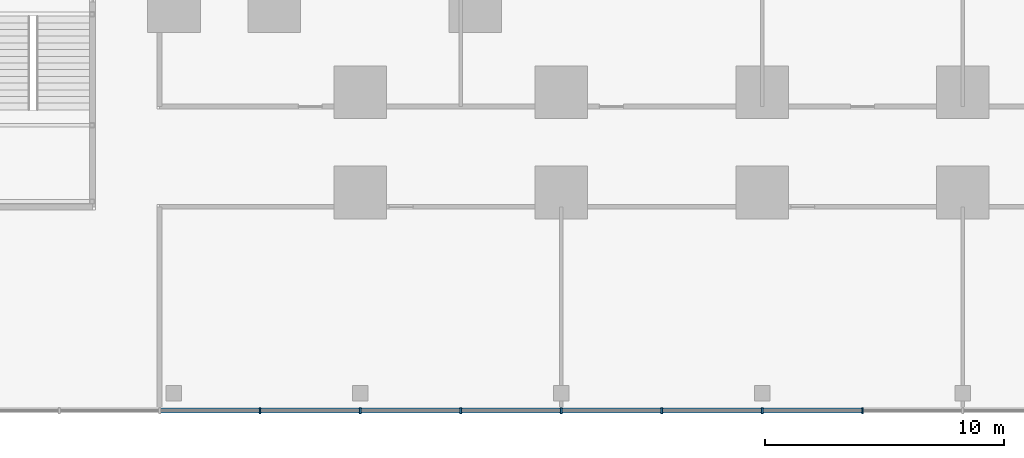
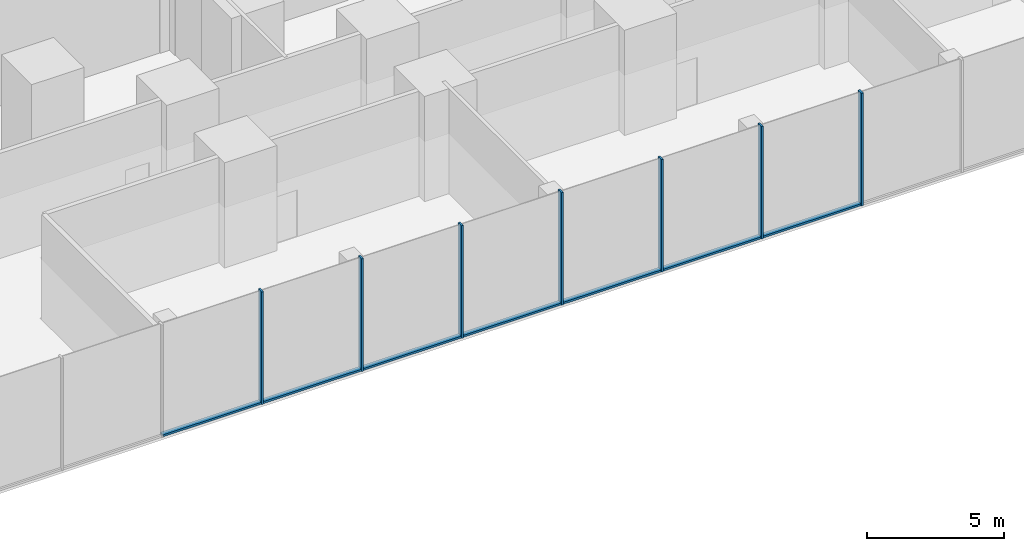
# One storey, part 16 of 33: 14 members, 1 element without a shape of its own.
"""IFC4 building model written with IfcOpenShell, lengths in metres."""

from ifc_helpers import new_model, si_unit, direction, frame, origin, origin_2d, place, context, subcontext, project, spatial, rectangle, extrude, material, material_profile, profile_set, type_object, element, aggregate, save


model = new_model("IFC4")

# Units and contexts
model_context = context("Model", 3, precision=1e-05, world=origin(), true_north=direction((0.0, 1.0)))
body_context = subcontext(model_context, "Body", "Model", "MODEL_VIEW")
ifc_project = project(units=[si_unit("LENGTHUNIT", "METRE"), si_unit("AREAUNIT", "SQUARE_METRE"), si_unit("VOLUMEUNIT", "CUBIC_METRE"), si_unit("PLANEANGLEUNIT", "RADIAN"), si_unit("MASSUNIT", "GRAM", prefix="KILO")], contexts=[model_context])

# Site, building, storey
site_placement = place(None, origin())
site = spatial("IfcSite", under=ifc_project, at=site_placement, CompositionType="ELEMENT")
building_placement = place(site_placement, origin())
building = spatial("IfcBuilding", under=site, at=building_placement, Name="Dunama Terrace Hotel", CompositionType="ELEMENT")
storey_placement = place(building_placement, frame((0.0, 0.0, 12.0)))
storey = spatial("IfcBuildingStorey", under=building, at=storey_placement, Name="L02", CompositionType="ELEMENT", Elevation=12.0)

# Curtain wall, members
ifc_material_1 = material(Name="Aluminium curtain wall system", Category="aluminium")
curtain_wall_type = type_object("IfcCurtainWallType", Name="Podium storefront glazing CW-E", PredefinedType="NOTDEFINED", material=ifc_material_1)
curtain_wall_placement = place(storey_placement, origin())
curtain_wall = element("IfcCurtainWall", 1, at=curtain_wall_placement, inside=storey, type_object=curtain_wall_type, Name="Podium storefront glazing CW-E L02", PredefinedType="NOTDEFINED")
ifc_material_2 = material(Name="Aluminium mullion", Category="aluminium")
ifc_material_profile_1 = material_profile(ifc_material_2, rectangle(XDim=0.080078125, YDim=0.25, at=origin_2d()), Name="CWE MULLION 80X250")
ifc_profile_set_1 = profile_set([ifc_material_profile_1], Name="Aluminium mullion")
member_type_1 = type_object("IfcMemberType", Name="CWE mullion 80x250", PredefinedType="MULLION", material=ifc_profile_set_1)
member_1_placement = place(storey_placement, frame((4.199951171875, -8.52490234375, 0.0), z_axis=(0.0, 0.0, 1.0), x_axis=(1.0, 0.0, 0.0)))
member_1 = element("IfcMember", 2, at=member_1_placement, type_object=member_type_1, Name="CWE mullion", PredefinedType="MULLION", context=body_context, shape_type="SweptSolid", body=[
    extrude(rectangle(XDim=0.080078125, YDim=0.25, at=origin_2d()), origin(), (0.0, 0.0, 1.0), 5.0),
])
member_2_placement = place(storey_placement, frame((8.39990234375, -8.52490234375, 0.0), z_axis=(0.0, 0.0, 1.0), x_axis=(1.0, 0.0, 0.0)))
member_2 = element("IfcMember", 3, at=member_2_placement, type_object=member_type_1, Name="CWE mullion", PredefinedType="MULLION", context=body_context, shape_type="SweptSolid", body=[
    extrude(rectangle(XDim=0.080078125, YDim=0.25, at=origin_2d()), origin(), (0.0, 0.0, 1.0), 5.0),
])
member_3_placement = place(storey_placement, frame((12.60009765625, -8.52490234375, 0.0), z_axis=(0.0, 0.0, 1.0), x_axis=(1.0, 0.0, 0.0)))
member_3 = element("IfcMember", 4, at=member_3_placement, type_object=member_type_1, Name="CWE mullion", PredefinedType="MULLION", context=body_context, shape_type="SweptSolid", body=[
    extrude(rectangle(XDim=0.080078125, YDim=0.25, at=origin_2d()), origin(), (0.0, 0.0, 1.0), 5.0),
])
member_4_placement = place(storey_placement, frame((16.800048828125, -8.52490234375, 0.0), z_axis=(0.0, 0.0, 1.0), x_axis=(1.0, 0.0, 0.0)))
member_4 = element("IfcMember", 5, at=member_4_placement, type_object=member_type_1, Name="CWE mullion", PredefinedType="MULLION", context=body_context, shape_type="SweptSolid", body=[
    extrude(rectangle(XDim=0.080078125, YDim=0.25, at=origin_2d()), origin(), (0.0, 0.0, 1.0), 5.0),
])
member_5_placement = place(storey_placement, frame((21.0, -8.52490234375, 0.0), z_axis=(0.0, 0.0, 1.0), x_axis=(1.0, 0.0, 0.0)))
member_5 = element("IfcMember", 6, at=member_5_placement, type_object=member_type_1, Name="CWE mullion", PredefinedType="MULLION", context=body_context, shape_type="SweptSolid", body=[
    extrude(rectangle(XDim=0.080078125, YDim=0.25, at=origin_2d()), origin(), (0.0, 0.0, 1.0), 5.0),
])
member_6_placement = place(storey_placement, frame((25.199951171875, -8.52490234375, 0.0), z_axis=(0.0, 0.0, 1.0), x_axis=(1.0, 0.0, 0.0)))
member_6 = element("IfcMember", 7, at=member_6_placement, type_object=member_type_1, Name="CWE mullion", PredefinedType="MULLION", context=body_context, shape_type="SweptSolid", body=[
    extrude(rectangle(XDim=0.080078125, YDim=0.25, at=origin_2d()), origin(), (0.0, 0.0, 1.0), 5.0),
])
member_7_placement = place(storey_placement, frame((29.39990234375, -8.52490234375, 0.0), z_axis=(0.0, 0.0, 1.0), x_axis=(1.0, 0.0, 0.0)))
member_7 = element("IfcMember", 8, at=member_7_placement, type_object=member_type_1, Name="CWE mullion", PredefinedType="MULLION", context=body_context, shape_type="SweptSolid", body=[
    extrude(rectangle(XDim=0.080078125, YDim=0.25, at=origin_2d()), origin(), (0.0, 0.0, 1.0), 5.0),
])
ifc_material_3 = material(Name="Aluminium transom", Category="aluminium")
ifc_material_profile_2 = material_profile(ifc_material_3, rectangle(XDim=0.199951171875, YDim=0.090087890625, at=origin_2d()), Name="CWE TRANSOM 200X90")
ifc_profile_set_2 = profile_set([ifc_material_profile_2], Name="Aluminium transom")
member_type_2 = type_object("IfcMemberType", Name="CWE transom 200x90", PredefinedType="USERDEFINED", material=ifc_profile_set_2)
member_8_placement = place(storey_placement, frame((0.0400390625, -8.52490234375, 0.044921875), z_axis=(1.0, 0.0, 0.0), x_axis=(0.0, 1.0, 0.0)))
member_8 = element("IfcMember", 9, at=member_8_placement, type_object=member_type_2, Name="CWE transom", ObjectType="TRANSOM", PredefinedType="USERDEFINED", context=body_context, shape_type="SweptSolid", body=[
    extrude(rectangle(XDim=0.199951171875, YDim=0.090087890625, at=origin_2d()), origin(), (0.0, 0.0, 1.0), 4.119873046875),
])
member_9_placement = place(storey_placement, frame((4.239990234375, -8.52490234375, 0.044921875), z_axis=(1.0, 0.0, 0.0), x_axis=(0.0, 1.0, 0.0)))
member_9 = element("IfcMember", 10, at=member_9_placement, type_object=member_type_2, Name="CWE transom", ObjectType="TRANSOM", PredefinedType="USERDEFINED", context=body_context, shape_type="SweptSolid", body=[
    extrude(rectangle(XDim=0.199951171875, YDim=0.090087890625, at=origin_2d()), origin(), (0.0, 0.0, 1.0), 4.1201171875),
])
member_10_placement = place(storey_placement, frame((8.43994140625, -8.52490234375, 0.044921875), z_axis=(1.0, 0.0, 0.0), x_axis=(0.0, 1.0, 0.0)))
member_10 = element("IfcMember", 11, at=member_10_placement, type_object=member_type_2, Name="CWE transom", ObjectType="TRANSOM", PredefinedType="USERDEFINED", context=body_context, shape_type="SweptSolid", body=[
    extrude(rectangle(XDim=0.199951171875, YDim=0.090087890625, at=origin_2d()), origin(), (0.0, 0.0, 1.0), 4.1201171875),
])
member_11_placement = place(storey_placement, frame((12.639892578125, -8.52490234375, 0.044921875), z_axis=(1.0, 0.0, 0.0), x_axis=(0.0, 1.0, 0.0)))
member_11 = element("IfcMember", 12, at=member_11_placement, type_object=member_type_2, Name="CWE transom", ObjectType="TRANSOM", PredefinedType="USERDEFINED", context=body_context, shape_type="SweptSolid", body=[
    extrude(rectangle(XDim=0.199951171875, YDim=0.090087890625, at=origin_2d()), origin(), (0.0, 0.0, 1.0), 4.1201171875),
])
member_12_placement = place(storey_placement, frame((16.840087890625, -8.52490234375, 0.044921875), z_axis=(1.0, 0.0, 0.0), x_axis=(0.0, 1.0, 0.0)))
member_12 = element("IfcMember", 13, at=member_12_placement, type_object=member_type_2, Name="CWE transom", ObjectType="TRANSOM", PredefinedType="USERDEFINED", context=body_context, shape_type="SweptSolid", body=[
    extrude(rectangle(XDim=0.199951171875, YDim=0.090087890625, at=origin_2d()), origin(), (0.0, 0.0, 1.0), 4.119873046875),
])
member_13_placement = place(storey_placement, frame((21.0400390625, -8.52490234375, 0.044921875), z_axis=(1.0, 0.0, 0.0), x_axis=(0.0, 1.0, 0.0)))
member_13 = element("IfcMember", 14, at=member_13_placement, type_object=member_type_2, Name="CWE transom", ObjectType="TRANSOM", PredefinedType="USERDEFINED", context=body_context, shape_type="SweptSolid", body=[
    extrude(rectangle(XDim=0.199951171875, YDim=0.090087890625, at=origin_2d()), origin(), (0.0, 0.0, 1.0), 4.119873046875),
])
member_14_placement = place(storey_placement, frame((25.239990234375, -8.52490234375, 0.044921875), z_axis=(1.0, 0.0, 0.0), x_axis=(0.0, 1.0, 0.0)))
member_14 = element("IfcMember", 15, at=member_14_placement, type_object=member_type_2, Name="CWE transom", ObjectType="TRANSOM", PredefinedType="USERDEFINED", context=body_context, shape_type="SweptSolid", body=[
    extrude(rectangle(XDim=0.199951171875, YDim=0.090087890625, at=origin_2d()), origin(), (0.0, 0.0, 1.0), 4.1201171875),
])
aggregate(curtain_wall, [member_1, member_2, member_3, member_4, member_5, member_6, member_7, member_8, member_9, member_10, member_11, member_12, member_13, member_14])

save(model, "model.ifc")
